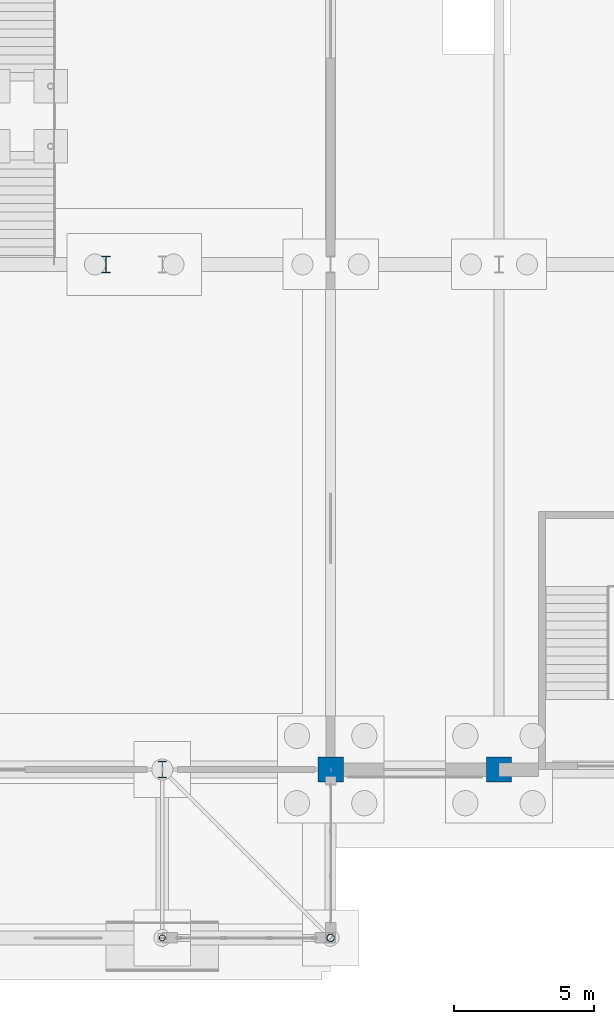
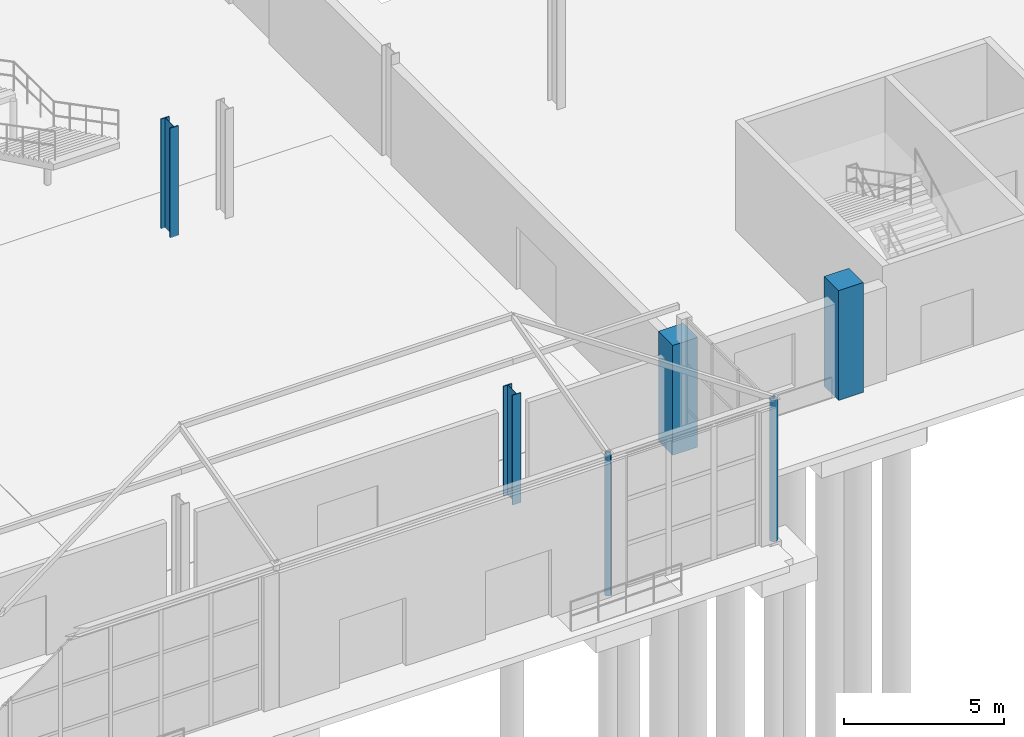
# One storey, part 13 of 77: 6 columns.
"""IFC4 building model written with IfcOpenShell, lengths in metres."""

import ifcopenshell
import ifcopenshell.guid

model = None  # the IFC model being written
_history = None  # IfcOwnerHistory: only IFC2X3 demands one
_inside = {}  # id of a spatial element -> (the spatial element, [elements in it])
_under = {}  # id of a project, library or spatial element -> (it, [spatial elements below it])
_declared = {}  # id of a project -> (the project, [libraries it declares])
_typed = {}  # id of a type object -> (the type object, [elements of that type])
_made_of = {}  # id of a material, layer set ... -> (it, [elements and type objects made of it])


def new_model(schema):
    """Start an empty IFC model of exactly this schema.

    Asked for "IFC4X3", IfcOpenShell would pick the latest addendum, in which some entities
    have other attributes; the version numbers below select the first issue.
    IFC2X3 requires an IfcOwnerHistory on every rooted entity: one is made here for all.
    """
    global model, _history
    if schema == "IFC4X3":
        model = ifcopenshell.file(schema_version=(4, 3, 0, 0))
    else:
        model = ifcopenshell.file(schema=schema)
    _inside.clear()
    _under.clear()
    _declared.clear()
    _typed.clear()
    _made_of.clear()
    _history = None
    if model.schema == "IFC2X3":
        org = make("IfcOrganization", Name="unknown")
        user = make(
            "IfcPersonAndOrganization",
            ThePerson=make("IfcPerson", FamilyName="unknown"),
            TheOrganization=org,
        )
        app = make(
            "IfcApplication",
            ApplicationDeveloper=org,
            Version="unknown",
            ApplicationFullName="unknown",
            ApplicationIdentifier="unknown",
        )
        _history = make(
            "IfcOwnerHistory",
            OwningUser=user,
            OwningApplication=app,
            ChangeAction="ADDED",
            CreationDate=0,
        )
    return model


def make(cls, **values):
    """One entity of the class cls with the attributes given. An attribute that is None is left unset."""
    return model.create_entity(
        cls, **{name: value for name, value in values.items() if value is not None}
    )


def rooted(cls, **values):
    """An entity with a GlobalId (a new one), such as an element, a storey or a relation."""
    return make(cls, GlobalId=ifcopenshell.guid.new(), OwnerHistory=_history, **values)


def si_unit(unit_type, name, prefix=None):
    """IfcSIUnit, for example si_unit("LENGTHUNIT", "METRE", prefix="MILLI")."""
    return make("IfcSIUnit", UnitType=unit_type, Prefix=prefix, Name=name)


def assignment(units):
    """IfcUnitAssignment: the units of a project."""
    return None if units is None else make("IfcUnitAssignment", Units=units)


def point(xyz):
    """IfcCartesianPoint."""
    return None if xyz is None else make("IfcCartesianPoint", Coordinates=xyz)


def direction(xyz):
    """IfcDirection."""
    return None if xyz is None else make("IfcDirection", DirectionRatios=xyz)


def frame(location, z_axis=None, x_axis=None):
    """IfcAxis2Placement3D, a coordinate frame: its origin and axes. An axis left out is left unset."""
    return make(
        "IfcAxis2Placement3D",
        Location=point(location),
        Axis=direction(z_axis),
        RefDirection=direction(x_axis),
    )


def frame_2d(location, x_axis=None):
    """IfcAxis2Placement2D, a coordinate frame in the plane: its origin and x axis."""
    return make(
        "IfcAxis2Placement2D", Location=point(location), RefDirection=direction(x_axis)
    )


def origin():
    """The frame at (0, 0, 0) with its axes left unset."""
    return frame((0.0, 0.0, 0.0))


def origin_2d():
    """The frame at (0, 0) in the plane with its x axis left unset."""
    return frame_2d((0.0, 0.0))


def place(relative_to, where):
    """IfcLocalPlacement: puts the frame where relative to a parent placement (None: the world)."""
    return make(
        "IfcLocalPlacement", PlacementRelTo=relative_to, RelativePlacement=where
    )


def context(
    kind, dimensions, precision=None, world=None, true_north=None, identifier=None
):
    """IfcGeometricRepresentationContext, for example the 3D "Model" context."""
    return make(
        "IfcGeometricRepresentationContext",
        ContextIdentifier=identifier,
        ContextType=kind,
        CoordinateSpaceDimension=dimensions,
        Precision=precision,
        WorldCoordinateSystem=world,
        TrueNorth=true_north,
    )


def subcontext(parent, identifier, kind, view, scale=None):
    """IfcGeometricRepresentationSubContext, for example "Body" below "Model"."""
    return make(
        "IfcGeometricRepresentationSubContext",
        ContextIdentifier=identifier,
        ContextType=kind,
        ParentContext=parent,
        TargetScale=scale,
        TargetView=view,
    )


def project(units=None, contexts=None):
    """IfcProject with its units and contexts."""
    return rooted(
        "IfcProject",
        Name="project",
        RepresentationContexts=contexts,
        UnitsInContext=assignment(units),
    )


def spatial(cls, under=None, at=None, **own):
    """A site, building, storey or space (cls), placed at a placement, below another one or the project."""
    s = rooted(cls, ObjectPlacement=at, **own)
    if under is not None:
        _under.setdefault(under.id(), (under, []))[1].append(s)
    return s


def profile(cls, at=None, kind="AREA", **sizes):
    """A parametric profile (cls). Its sizes go by their IFC names, for example OverallWidth=200.0."""
    return make(cls, ProfileType=kind, Position=at, **sizes)


def rectangle(**sizes):
    """IfcRectangleProfileDef."""
    return profile("IfcRectangleProfileDef", **sizes)


def hollow_circle(**sizes):
    """IfcCircleHollowProfileDef."""
    return profile("IfcCircleHollowProfileDef", **sizes)


def i_section(**sizes):
    """IfcIShapeProfileDef."""
    return profile("IfcIShapeProfileDef", **sizes)


def extrude(swept, where, along, depth):
    """IfcExtrudedAreaSolid: the profile swept, set in the frame where, extruded along a direction by depth."""
    return make(
        "IfcExtrudedAreaSolid",
        SweptArea=swept,
        Position=where,
        ExtrudedDirection=direction(along),
        Depth=depth,
    )


def shape(context_of_items, identifier, shape_type, items):
    """IfcShapeRepresentation: the items that make up one representation, for example the "Body"."""
    return make(
        "IfcShapeRepresentation",
        ContextOfItems=context_of_items,
        RepresentationIdentifier=identifier,
        RepresentationType=shape_type,
        Items=items,
    )


def material(Name=None, Category=None):
    """IfcMaterial."""
    return make("IfcMaterial", Name=Name, Category=Category)


def material_profile(
    of_material, cross_section, Name=None, Category=None, Priority=None
):
    """IfcMaterialProfile: a cross section and its material."""
    return make(
        "IfcMaterialProfile",
        Name=Name,
        Material=of_material,
        Profile=cross_section,
        Priority=Priority,
        Category=Category,
    )


def profile_set(profiles, Name=None, composite=None):
    """IfcMaterialProfileSet."""
    return make(
        "IfcMaterialProfileSet",
        Name=Name,
        MaterialProfiles=profiles,
        CompositeProfile=composite,
    )


def made_of(thing, what):
    """Note that an element or type object is made of a material, layer set ...; save() writes the relation."""
    if what is not None:
        _made_of.setdefault(what.id(), (what, []))[1].append(thing)
    return thing


def type_object(cls, material=None, **own):
    """A type object (cls), such as IfcWallType, which elements share."""
    return made_of(rooted(cls, **own), material)


def element(
    cls,
    number,
    at=None,
    inside=None,
    cuts=None,
    type_object=None,
    material=None,
    context=None,
    identifier="Body",
    shape_type=None,
    held_by="IfcProductDefinitionShape",
    body=None,
    shapes=None,
    **own,
):
    """One element of the class cls, such as IfcWall. Its Tag is "e" and its number.

    at: its placement. inside: the storey or other place that contains it. cuts: it is an
    opening in that element (IfcRelVoidsElement). A single representation is given by context,
    identifier, shape_type and body (its items); several are given by shapes. held_by: the class
    of the entity that holds the representations. save() writes the other relations.
    """
    e = rooted(cls, Tag="e%d" % number, ObjectPlacement=at, **own)
    if body is not None:
        shapes = [shape(context, identifier, shape_type, body)]
    if shapes is not None:
        e.Representation = make(held_by, Representations=shapes)
    if inside is not None:
        _inside.setdefault(inside.id(), (inside, []))[1].append(e)
    if cuts is not None:
        rooted(
            "IfcRelVoidsElement", RelatingBuildingElement=cuts, RelatedOpeningElement=e
        )
    if type_object is not None:
        _typed.setdefault(type_object.id(), (type_object, []))[1].append(e)
    return made_of(e, material)


def aggregate(whole, parts):
    """IfcRelAggregates: a whole, such as a stair, and the parts it consists of."""
    return rooted("IfcRelAggregates", RelatingObject=whole, RelatedObjects=parts)


def save(model, path):
    """Write the relations noted so far, then the file.

    IfcRelAggregates (storeys below a building ...), IfcRelContainedInSpatialStructure (elements
    in a storey), IfcRelDefinesByType, IfcRelAssociatesMaterial and IfcRelDeclares: one each for
    every whole, place, type object, material and project.
    """
    for whole, parts in _under.values():
        aggregate(whole, parts)
    for where, things in _inside.values():
        rooted(
            "IfcRelContainedInSpatialStructure",
            RelatedElements=things,
            RelatingStructure=where,
        )
    for kind, things in _typed.values():
        rooted("IfcRelDefinesByType", RelatedObjects=things, RelatingType=kind)
    for what, things in _made_of.values():
        rooted("IfcRelAssociatesMaterial", RelatedObjects=things, RelatingMaterial=what)
    for by, libraries in _declared.values():
        rooted("IfcRelDeclares", RelatingContext=by, RelatedDefinitions=libraries)
    model.write(path)


model = new_model("IFC4")

# Units and contexts
model_context = context("Model", 3, precision=1e-05, world=origin(), true_north=direction((0.0, 1.0)))
body_context = subcontext(model_context, "Body", "Model", "MODEL_VIEW")
ifc_project = project(units=[si_unit("LENGTHUNIT", "METRE"), si_unit("AREAUNIT", "SQUARE_METRE"), si_unit("VOLUMEUNIT", "CUBIC_METRE"), si_unit("PLANEANGLEUNIT", "RADIAN"), si_unit("MASSUNIT", "GRAM", prefix="KILO")], contexts=[model_context])

# Site, building, storey
site_placement = place(None, origin())
site = spatial("IfcSite", under=ifc_project, at=site_placement, CompositionType="ELEMENT")
building_placement = place(site_placement, origin())
building = spatial("IfcBuilding", under=site, at=building_placement, Name="Zilviju Railside Exhibition Hall", CompositionType="ELEMENT")
storey_placement = place(building_placement, origin())
storey = spatial("IfcBuildingStorey", under=building, at=storey_placement, Name="L01", CompositionType="ELEMENT", Elevation=0.0)

# Columns
ifc_material_1 = material(Name="Concrete C40/50", Category="concrete")
ifc_material_profile_1 = material_profile(ifc_material_1, rectangle(XDim=0.89990234375, YDim=0.89990234375, at=origin_2d()), Name="RC COL 900x900")
ifc_profile_set_1 = profile_set([ifc_material_profile_1], Name="Concrete C40/50")
column_type_1 = type_object("IfcColumnType", Name="COL-RC-900", PredefinedType="COLUMN", material=ifc_profile_set_1)
for number, where, z_axis, x_axis, name in (
    (1, (78.0, 0.0, 0.0), (0.0, 0.0, 1.0), (1.0, 0.0, 0.0), "Structural Column L01 (78.0, 0.0)"),
    (2, (84.0, 0.0, 0.0), (0.0, 0.0, 1.0), (1.0, 0.0, 0.0), "Structural Column L01 (84.0, 0.0)"),
):
    element("IfcColumn", number, at=place(storey_placement, frame(where, z_axis=z_axis, x_axis=x_axis)), inside=storey, type_object=column_type_1, Name=name, PredefinedType="COLUMN", context=body_context, shape_type="SweptSolid", body=[
        extrude(rectangle(XDim=0.89990234375, YDim=0.89990234375, at=origin_2d()), origin(), (0.0, 0.0, 1.0), 4.199951171875),
    ])
ifc_material_2 = material(Name="Steel S355ML", Category="steel")
ifc_material_profile_2 = material_profile(ifc_material_2, hollow_circle(Radius=0.109619140625, WallThickness=0.010009765625, at=origin_2d()), Name="CHS 219.1x10.0")
ifc_profile_set_2 = profile_set([ifc_material_profile_2], Name="Steel S355ML")
column_type_2 = type_object("IfcColumnType", Name="COL-ST-CHS219", PredefinedType="COLUMN", material=ifc_profile_set_2)
column_1_placement = place(storey_placement, frame((72.0, -6.0, 0.0), z_axis=(0.0, 0.0, 1.0), x_axis=(1.0, 0.0, 0.0)))
element("IfcColumn", 3, at=column_1_placement, inside=storey, type_object=column_type_2, Name="Structural Column L01 (72.0, -6.0)", PredefinedType="COLUMN", context=body_context, shape_type="SweptSolid", body=[
    extrude(hollow_circle(Radius=0.109619140625, WallThickness=0.010009765625, at=origin_2d()), origin(), (0.0, 0.0, 1.0), 5.39990234375),
])
ifc_material_profile_3 = material_profile(ifc_material_2, hollow_circle(Radius=0.136474609375, WallThickness=0.012451171875, at=origin_2d()), Name="CHS 273.0x12.5")
ifc_profile_set_3 = profile_set([ifc_material_profile_3], Name="Steel S355ML")
column_type_3 = type_object("IfcColumnType", Name="COL-ST-CHS273", PredefinedType="COLUMN", material=ifc_profile_set_3)
column_2_placement = place(storey_placement, frame((78.0, -6.0, 0.0), z_axis=(0.0, 0.0, 1.0), x_axis=(1.0, 0.0, 0.0)))
element("IfcColumn", 4, at=column_2_placement, inside=storey, type_object=column_type_3, Name="Structural Column L01 (78.0, -6.0)", PredefinedType="COLUMN", context=body_context, shape_type="SweptSolid", body=[
    extrude(hollow_circle(Radius=0.136474609375, WallThickness=0.012451171875, at=origin_2d()), origin(), (0.0, 0.0, 1.0), 5.39990234375),
])
ifc_material_3 = material(Name="Steel S355J2", Category="steel")
ifc_material_profile_4 = material_profile(ifc_material_3, i_section(OverallWidth=0.300048828125, OverallDepth=0.60009765625, WebThickness=0.015380859375, FlangeThickness=0.030029296875, at=origin_2d()), Name="HEB 600")
ifc_profile_set_4 = profile_set([ifc_material_profile_4], Name="Steel S355J2")
column_type_4 = type_object("IfcColumnType", Name="COL-ST-HEB600", PredefinedType="COLUMN", material=ifc_profile_set_4)
for number, where, z_axis, x_axis, name in (
    (5, (72.0, 0.0, 0.0), (0.0, 0.0, 1.0), (1.0, 0.0, 0.0), "Structural Column L01 (72.0, 0.0)"),
    (6, (70.0, 18.0, 0.0), (0.0, 0.0, 1.0), (1.0, 0.0, 0.0), "Structural Column L01 (70.0, 18.0)"),
):
    element("IfcColumn", number, at=place(storey_placement, frame(where, z_axis=z_axis, x_axis=x_axis)), inside=storey, type_object=column_type_4, Name=name, PredefinedType="COLUMN", context=body_context, shape_type="SweptSolid", body=[
        extrude(i_section(OverallWidth=0.300048828125, OverallDepth=0.60009765625, WebThickness=0.015380859375, FlangeThickness=0.030029296875, at=origin_2d()), origin(), (0.0, 0.0, 1.0), 4.199951171875),
    ])

save(model, "model.ifc")
